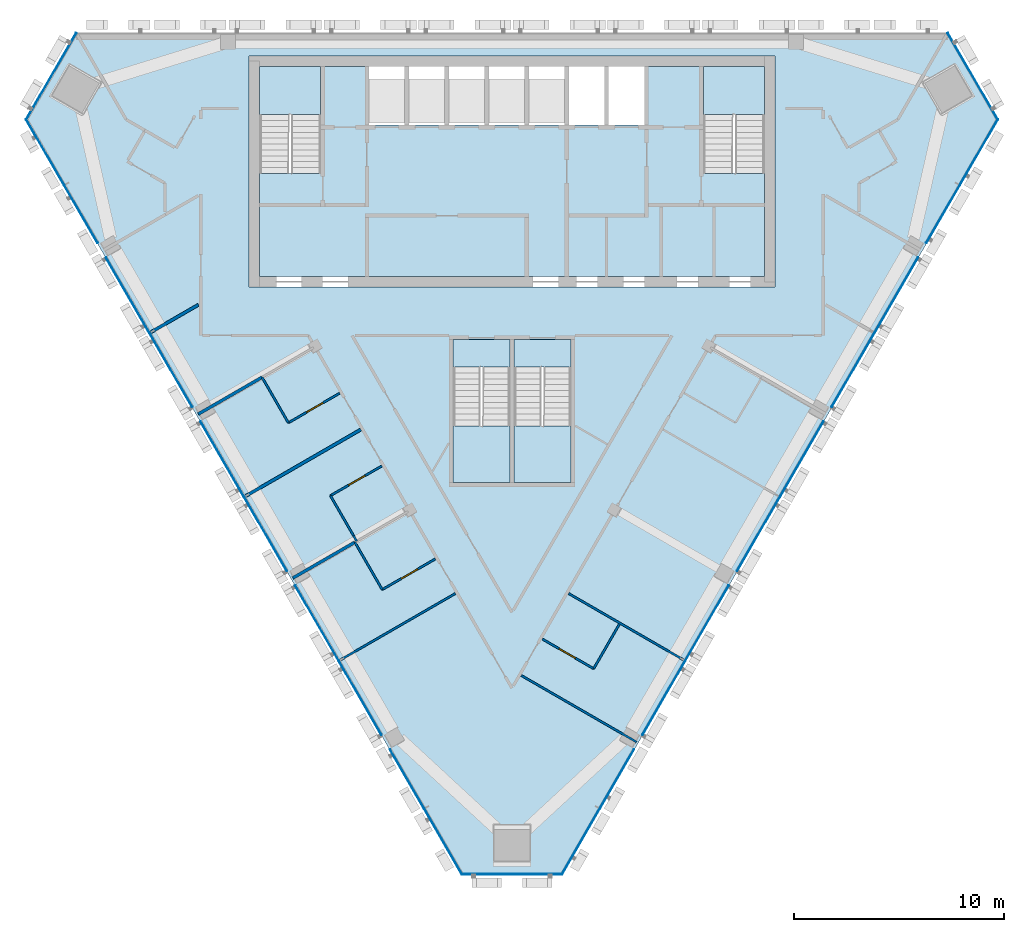
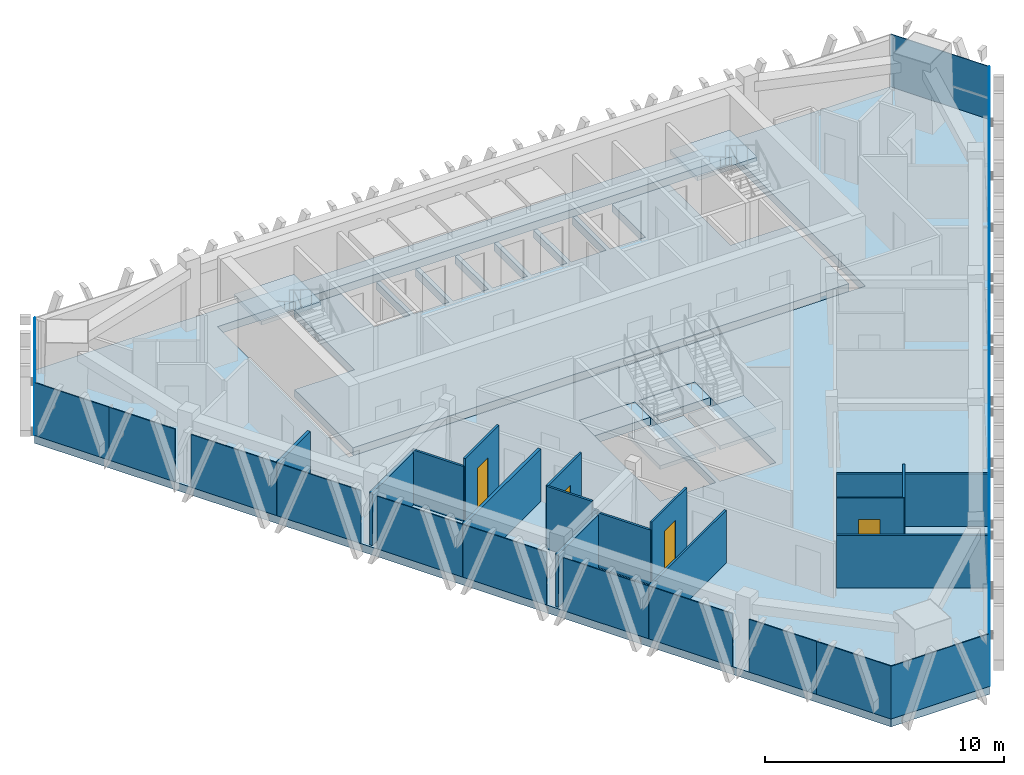
# One storey, part 7 of 14: 23 plates, 16 walls, 8 slabs, 4 doors, 4 openings, 9 elements without a shape of their own.
"""IFC4 building model written with IfcOpenShell, lengths in metres."""

from ifc_helpers import new_model, si_unit, direction, frame, frame_2d, origin, origin_2d, place, context, subcontext, project, spatial, polyline, rectangle, outline, extrude, material, layer, layer_set, type_object, element, fill, aggregate, save


model = new_model("IFC4")

# Units and contexts
model_context = context("Model", 3, precision=1e-05, world=origin(), true_north=direction((0.0, 1.0)))
body_context = subcontext(model_context, "Body", "Model", "MODEL_VIEW")
ifc_project = project(units=[si_unit("LENGTHUNIT", "METRE"), si_unit("AREAUNIT", "SQUARE_METRE"), si_unit("VOLUMEUNIT", "CUBIC_METRE"), si_unit("PLANEANGLEUNIT", "RADIAN"), si_unit("MASSUNIT", "GRAM", prefix="KILO")], contexts=[model_context])

# Site, building, storey
site_placement = place(None, origin())
site = spatial("IfcSite", under=ifc_project, at=site_placement, CompositionType="ELEMENT")
building_placement = place(site_placement, origin())
building = spatial("IfcBuilding", under=site, at=building_placement, Name="Altiplano Prism Tower", CompositionType="ELEMENT")
storey_placement = place(building_placement, frame((0.0, 0.0, 271.60009765625)))
storey = spatial("IfcBuildingStorey", under=building, at=storey_placement, Name="L70", CompositionType="ELEMENT", Elevation=271.60009765625)

# Curtain wall, plate
ifc_material_1 = material(Name="Aluminium and glass", Category="aluminium")
ifc_layer_1 = layer(ifc_material_1, 0.280029296875)
ifc_layer_set_1 = layer_set([ifc_layer_1], Name="Aluminium and glass")
curtain_wall_type = type_object("IfcCurtainWallType", Name="CW1 typical co-living unitised curtain wall", PredefinedType="NOTDEFINED", material=ifc_layer_set_1)
curtain_wall_1_placement = place(storey_placement, origin())
curtain_wall_1 = element("IfcCurtainWall", 1, at=curtain_wall_1_placement, inside=storey, type_object=curtain_wall_type, Name="CW1 curtain wall north-west chamfer L70", PredefinedType="NOTDEFINED")
ifc_material_2 = material(Name="Clear glass", Category="glass")
ifc_layer_2 = layer(ifc_material_2, 0.0400390625)
ifc_layer_set_2 = layer_set([ifc_layer_2], Name="Clear glass")
plate_type = type_object("IfcPlateType", Name="CW1 insulated glass unit 40", PredefinedType="CURTAIN_PANEL", material=ifc_layer_set_2)
plate_1_placement = place(storey_placement, frame((63.091796875, 102.92431640625, 0.0), z_axis=(0.0, 0.0, 1.0), x_axis=(-0.50000003413, -0.86602538408, 0.0)))
plate_1 = element("IfcPlate", 2, at=plate_1_placement, type_object=plate_type, Name="CW1 panel", PredefinedType="CURTAIN_PANEL", context=body_context, shape_type="SweptSolid", body=[
    extrude(rectangle(XDim=4.76025390625, YDim=0.0400390625, at=origin_2d()), origin(), (0.0, 0.0, 1.0), 2.699951171875),
])
aggregate(curtain_wall_1, [plate_1])

# Curtain wall, plates
curtain_wall_2_placement = place(storey_placement, origin())
curtain_wall_2 = element("IfcCurtainWall", 3, at=curtain_wall_2_placement, inside=storey, type_object=curtain_wall_type, Name="CW1 curtain wall south-west face L70", PredefinedType="NOTDEFINED")
plate_2_placement = place(storey_placement, frame((62.80322265625, 99.312744140625, 0.0), z_axis=(0.0, 0.0, 1.0), x_axis=(0.499999994362, -0.866025407039, 0.0)))
plate_2 = element("IfcPlate", 4, at=plate_2_placement, type_object=plate_type, Name="CW1 panel", PredefinedType="CURTAIN_PANEL", context=body_context, shape_type="SweptSolid", body=[
    extrude(rectangle(XDim=3.6064453125, YDim=0.0400390625, at=origin_2d()), origin(), (0.0, 0.0, 1.0), 2.699951171875),
])
plate_3_placement = place(storey_placement, frame((64.504150390625, 96.36669921875, 0.0), z_axis=(0.0, 0.0, 1.0), x_axis=(0.499999994362, -0.866025407039, 0.0)))
plate_3 = element("IfcPlate", 5, at=plate_3_placement, type_object=plate_type, Name="CW1 panel", PredefinedType="CURTAIN_PANEL", context=body_context, shape_type="SweptSolid", body=[
    extrude(rectangle(XDim=3.177001953125, YDim=0.0400390625, at=origin_2d()), origin(), (0.0, 0.0, 1.0), 2.699951171875),
])
plate_4_placement = place(storey_placement, frame((66.728271484375, 92.514404296875, 0.0), z_axis=(0.0, 0.0, 1.0), x_axis=(0.499999994362, -0.866025407039, 0.0)))
plate_4 = element("IfcPlate", 6, at=plate_4_placement, type_object=plate_type, Name="CW1 panel", PredefinedType="CURTAIN_PANEL", context=body_context, shape_type="SweptSolid", body=[
    extrude(rectangle(XDim=4.139404296875, YDim=0.0400390625, at=origin_2d()), origin(), (0.0, 0.0, 1.0), 2.699951171875),
])
plate_5_placement = place(storey_placement, frame((68.783203125, 88.955078125, 0.0), z_axis=(0.0, 0.0, 1.0), x_axis=(0.499999994362, -0.866025407039, 0.0)))
plate_5 = element("IfcPlate", 7, at=plate_5_placement, type_object=plate_type, Name="CW1 panel", PredefinedType="CURTAIN_PANEL", context=body_context, shape_type="SweptSolid", body=[
    extrude(rectangle(XDim=4.060302734375, YDim=0.0400390625, at=origin_2d()), origin(), (0.0, 0.0, 1.0), 2.699951171875),
])
plate_6_placement = place(storey_placement, frame((71.228271484375, 84.72021484375, 0.0), z_axis=(0.0, 0.0, 1.0), x_axis=(0.499999994362, -0.866025407039, 0.0)))
plate_6 = element("IfcPlate", 8, at=plate_6_placement, type_object=plate_type, Name="CW1 panel", PredefinedType="CURTAIN_PANEL", context=body_context, shape_type="SweptSolid", body=[
    extrude(rectangle(XDim=4.139404296875, YDim=0.0400390625, at=origin_2d()), origin(), (0.0, 0.0, 1.0), 2.699951171875),
])
plate_7_placement = place(storey_placement, frame((73.283203125, 81.160888671875, 0.0), z_axis=(0.0, 0.0, 1.0), x_axis=(0.499999994362, -0.866025407039, 0.0)))
plate_7 = element("IfcPlate", 9, at=plate_7_placement, type_object=plate_type, Name="CW1 panel", PredefinedType="CURTAIN_PANEL", context=body_context, shape_type="SweptSolid", body=[
    extrude(rectangle(XDim=4.060302734375, YDim=0.0400390625, at=origin_2d()), origin(), (0.0, 0.0, 1.0), 2.699951171875),
])
plate_8_placement = place(storey_placement, frame((75.728271484375, 76.926025390625, 0.0), z_axis=(0.0, 0.0, 1.0), x_axis=(0.499999994362, -0.866025407039, 0.0)))
plate_8 = element("IfcPlate", 10, at=plate_8_placement, type_object=plate_type, Name="CW1 panel", PredefinedType="CURTAIN_PANEL", context=body_context, shape_type="SweptSolid", body=[
    extrude(rectangle(XDim=4.139404296875, YDim=0.0400390625, at=origin_2d()), origin(), (0.0, 0.0, 1.0), 2.699951171875),
])
plate_9_placement = place(storey_placement, frame((77.783203125, 73.36669921875, 0.0), z_axis=(0.0, 0.0, 1.0), x_axis=(0.499999994362, -0.866025407039, 0.0)))
plate_9 = element("IfcPlate", 11, at=plate_9_placement, type_object=plate_type, Name="CW1 panel", PredefinedType="CURTAIN_PANEL", context=body_context, shape_type="SweptSolid", body=[
    extrude(rectangle(XDim=4.060302734375, YDim=0.0400390625, at=origin_2d()), origin(), (0.0, 0.0, 1.0), 2.699951171875),
])
plate_10_placement = place(storey_placement, frame((80.00732421875, 69.514404296875, 0.0), z_axis=(0.0, 0.0, 1.0), x_axis=(0.499999994362, -0.866025407039, 0.0)))
plate_10 = element("IfcPlate", 12, at=plate_10_placement, type_object=plate_type, Name="CW1 panel", PredefinedType="CURTAIN_PANEL", context=body_context, shape_type="SweptSolid", body=[
    extrude(rectangle(XDim=3.256103515625, YDim=0.0400390625, at=origin_2d()), origin(), (0.0, 0.0, 1.0), 2.699951171875),
])
plate_11_placement = place(storey_placement, frame((81.72802734375, 66.5341796875, 0.0), z_axis=(0.0, 0.0, 1.0), x_axis=(0.499999994362, -0.866025407039, 0.0)))
plate_11 = element("IfcPlate", 13, at=plate_11_placement, type_object=plate_type, Name="CW1 panel", PredefinedType="CURTAIN_PANEL", context=body_context, shape_type="SweptSolid", body=[
    extrude(rectangle(XDim=3.6064453125, YDim=0.0400390625, at=origin_2d()), origin(), (0.0, 0.0, 1.0), 2.699951171875),
])
aggregate(curtain_wall_2, [plate_2, plate_3, plate_4, plate_5, plate_6, plate_7, plate_8, plate_9, plate_10, plate_11])

# Curtain wall, plate
curtain_wall_3_placement = place(storey_placement, origin())
curtain_wall_3 = element("IfcCurtainWall", 14, at=curtain_wall_3_placement, inside=storey, type_object=curtain_wall_type, Name="CW1 curtain wall south chamfer L70", PredefinedType="NOTDEFINED")
plate_12_placement = place(storey_placement, frame((85.0, 64.97802734375, 0.0), z_axis=(0.0, 0.0, 1.0), x_axis=(1.0, 0.0, 0.0)))
plate_12 = element("IfcPlate", 15, at=plate_12_placement, type_object=plate_type, Name="CW1 panel", PredefinedType="CURTAIN_PANEL", context=body_context, shape_type="SweptSolid", body=[
    extrude(rectangle(XDim=4.76025390625, YDim=0.0400390625, at=origin_2d()), origin(), (0.0, 0.0, 1.0), 2.699951171875),
])
aggregate(curtain_wall_3, [plate_12])

# Curtain wall, plates
curtain_wall_4_placement = place(storey_placement, origin())
curtain_wall_4 = element("IfcCurtainWall", 16, at=curtain_wall_4_placement, inside=storey, type_object=curtain_wall_type, Name="CW1 curtain wall south-east face L70", PredefinedType="NOTDEFINED")
plate_13_placement = place(storey_placement, frame((88.27197265625, 66.5341796875, 0.0), z_axis=(0.0, 0.0, 1.0), x_axis=(0.499999994362, 0.866025407039, 0.0)))
plate_13 = element("IfcPlate", 17, at=plate_13_placement, type_object=plate_type, Name="CW1 panel", PredefinedType="CURTAIN_PANEL", context=body_context, shape_type="SweptSolid", body=[
    extrude(rectangle(XDim=3.6064453125, YDim=0.0400390625, at=origin_2d()), origin(), (0.0, 0.0, 1.0), 2.699951171875),
])
plate_14_placement = place(storey_placement, frame((89.99267578125, 69.514404296875, 0.0), z_axis=(0.0, 0.0, 1.0), x_axis=(0.499999994362, 0.866025407039, 0.0)))
plate_14 = element("IfcPlate", 18, at=plate_14_placement, type_object=plate_type, Name="CW1 panel", PredefinedType="CURTAIN_PANEL", context=body_context, shape_type="SweptSolid", body=[
    extrude(rectangle(XDim=3.256103515625, YDim=0.0400390625, at=origin_2d()), origin(), (0.0, 0.0, 1.0), 2.699951171875),
])
plate_15_placement = place(storey_placement, frame((92.216796875, 73.36669921875, 0.0), z_axis=(0.0, 0.0, 1.0), x_axis=(0.499999994362, 0.866025407039, 0.0)))
plate_15 = element("IfcPlate", 19, at=plate_15_placement, type_object=plate_type, Name="CW1 panel", PredefinedType="CURTAIN_PANEL", context=body_context, shape_type="SweptSolid", body=[
    extrude(rectangle(XDim=4.060302734375, YDim=0.0400390625, at=origin_2d()), origin(), (0.0, 0.0, 1.0), 2.699951171875),
])
plate_16_placement = place(storey_placement, frame((94.271728515625, 76.926025390625, 0.0), z_axis=(0.0, 0.0, 1.0), x_axis=(0.499999994362, 0.866025407039, 0.0)))
plate_16 = element("IfcPlate", 20, at=plate_16_placement, type_object=plate_type, Name="CW1 panel", PredefinedType="CURTAIN_PANEL", context=body_context, shape_type="SweptSolid", body=[
    extrude(rectangle(XDim=4.139404296875, YDim=0.0400390625, at=origin_2d()), origin(), (0.0, 0.0, 1.0), 2.699951171875),
])
plate_17_placement = place(storey_placement, frame((96.716796875, 81.160888671875, 0.0), z_axis=(0.0, 0.0, 1.0), x_axis=(0.499999994362, 0.866025407039, 0.0)))
plate_17 = element("IfcPlate", 21, at=plate_17_placement, type_object=plate_type, Name="CW1 panel", PredefinedType="CURTAIN_PANEL", context=body_context, shape_type="SweptSolid", body=[
    extrude(rectangle(XDim=4.060302734375, YDim=0.0400390625, at=origin_2d()), origin(), (0.0, 0.0, 1.0), 2.699951171875),
])
plate_18_placement = place(storey_placement, frame((98.771728515625, 84.72021484375, 0.0), z_axis=(0.0, 0.0, 1.0), x_axis=(0.499999994362, 0.866025407039, 0.0)))
plate_18 = element("IfcPlate", 22, at=plate_18_placement, type_object=plate_type, Name="CW1 panel", PredefinedType="CURTAIN_PANEL", context=body_context, shape_type="SweptSolid", body=[
    extrude(rectangle(XDim=4.139404296875, YDim=0.0400390625, at=origin_2d()), origin(), (0.0, 0.0, 1.0), 2.699951171875),
])
plate_19_placement = place(storey_placement, frame((101.216796875, 88.955078125, 0.0), z_axis=(0.0, 0.0, 1.0), x_axis=(0.499999994362, 0.866025407039, 0.0)))
plate_19 = element("IfcPlate", 23, at=plate_19_placement, type_object=plate_type, Name="CW1 panel", PredefinedType="CURTAIN_PANEL", context=body_context, shape_type="SweptSolid", body=[
    extrude(rectangle(XDim=4.060302734375, YDim=0.0400390625, at=origin_2d()), origin(), (0.0, 0.0, 1.0), 2.699951171875),
])
plate_20_placement = place(storey_placement, frame((103.271728515625, 92.514404296875, 0.0), z_axis=(0.0, 0.0, 1.0), x_axis=(0.499999994362, 0.866025407039, 0.0)))
plate_20 = element("IfcPlate", 24, at=plate_20_placement, type_object=plate_type, Name="CW1 panel", PredefinedType="CURTAIN_PANEL", context=body_context, shape_type="SweptSolid", body=[
    extrude(rectangle(XDim=4.139404296875, YDim=0.0400390625, at=origin_2d()), origin(), (0.0, 0.0, 1.0), 2.699951171875),
])
plate_21_placement = place(storey_placement, frame((105.495849609375, 96.36669921875, 0.0), z_axis=(0.0, 0.0, 1.0), x_axis=(0.499999994362, 0.866025407039, 0.0)))
plate_21 = element("IfcPlate", 25, at=plate_21_placement, type_object=plate_type, Name="CW1 panel", PredefinedType="CURTAIN_PANEL", context=body_context, shape_type="SweptSolid", body=[
    extrude(rectangle(XDim=3.177001953125, YDim=0.0400390625, at=origin_2d()), origin(), (0.0, 0.0, 1.0), 2.699951171875),
])
plate_22_placement = place(storey_placement, frame((107.19677734375, 99.312744140625, 0.0), z_axis=(0.0, 0.0, 1.0), x_axis=(0.499999994362, 0.866025407039, 0.0)))
plate_22 = element("IfcPlate", 26, at=plate_22_placement, type_object=plate_type, Name="CW1 panel", PredefinedType="CURTAIN_PANEL", context=body_context, shape_type="SweptSolid", body=[
    extrude(rectangle(XDim=3.6064453125, YDim=0.0400390625, at=origin_2d()), origin(), (0.0, 0.0, 1.0), 2.699951171875),
])
aggregate(curtain_wall_4, [plate_13, plate_14, plate_15, plate_16, plate_17, plate_18, plate_19, plate_20, plate_21, plate_22])

# Curtain wall, plate
curtain_wall_5_placement = place(storey_placement, origin())
curtain_wall_5 = element("IfcCurtainWall", 27, at=curtain_wall_5_placement, inside=storey, type_object=curtain_wall_type, Name="CW1 curtain wall north-east chamfer L70", PredefinedType="NOTDEFINED")
plate_23_placement = place(storey_placement, frame((106.908203125, 102.92431640625, 0.0), z_axis=(0.0, 0.0, 1.0), x_axis=(-0.50000003413, 0.86602538408, 0.0)))
plate_23 = element("IfcPlate", 28, at=plate_23_placement, type_object=plate_type, Name="CW1 panel", PredefinedType="CURTAIN_PANEL", context=body_context, shape_type="SweptSolid", body=[
    extrude(rectangle(XDim=4.76025390625, YDim=0.0400390625, at=origin_2d()), origin(), (0.0, 0.0, 1.0), 2.699951171875),
])
aggregate(curtain_wall_5, [plate_23])

# Slabs
ifc_material_3 = material(Name="Concrete C40/50", Category="concrete")
ifc_layer_3 = layer(ifc_material_3, 0.39990234375)
ifc_layer_set_3 = layer_set([ifc_layer_3], Name="Concrete C40/50")
slab_type_1 = type_object("IfcSlabType", Name="Core floor slab 400", PredefinedType="FLOOR", material=ifc_layer_set_3)
slab_1_placement = place(storey_placement, frame((0.0, 0.0, -0.400146484375)))
element("IfcSlab", 29, at=slab_1_placement, inside=storey, type_object=slab_type_1, Name="Core floor slab L70", PredefinedType="FLOOR", context=body_context, shape_type="SweptSolid", body=[
    extrude(outline(polyline([(97.0, 98.31005859375), (94.10009765625, 98.31005859375), (94.10009765625, 103.39990234375), (91.300048828125, 103.39990234375), (91.300048828125, 100.60009765625), (89.60009765625, 100.60009765625), (89.60009765625, 103.39990234375), (89.39990234375, 103.39990234375), (89.39990234375, 100.60009765625), (87.699951171875, 100.60009765625), (87.699951171875, 103.39990234375), (87.5, 103.39990234375), (87.5, 100.60009765625), (85.800048828125, 100.60009765625), (85.800048828125, 103.39990234375), (85.60009765625, 103.39990234375), (85.60009765625, 100.60009765625), (83.89990234375, 100.60009765625), (83.89990234375, 103.39990234375), (83.699951171875, 103.39990234375), (83.699951171875, 100.60009765625), (82.0, 100.60009765625), (82.0, 103.39990234375), (81.800048828125, 103.39990234375), (81.800048828125, 100.60009765625), (80.10009765625, 100.60009765625), (80.10009765625, 103.39990234375), (79.89990234375, 103.39990234375), (79.89990234375, 100.60009765625), (78.199951171875, 100.60009765625), (78.199951171875, 103.39990234375), (75.89990234375, 103.39990234375), (75.89990234375, 98.31005859375), (73.0, 98.31005859375), (73.0, 93.39990234375), (97.0, 93.39990234375), (97.0, 98.31005859375)])), origin(), (0.0, 0.0, 1.0), 0.400146484375),
])
slab_2_placement = place(storey_placement, frame((0.0, 0.0, -0.400146484375)))
element("IfcSlab", 30, at=slab_2_placement, inside=storey, type_object=slab_type_1, Name="Stair 3A landing slab L70", PredefinedType="FLOOR", context=body_context, shape_type="SweptSolid", body=[
    extrude(outline(polyline([(82.199951171875, 89.096923828125), (84.89990234375, 89.096923828125), (84.89990234375, 90.39990234375), (82.199951171875, 90.39990234375), (82.199951171875, 89.096923828125)])), origin(), (0.0, 0.0, 1.0), 0.400146484375),
])
slab_3_placement = place(storey_placement, frame((0.0, 0.0, -0.400146484375)))
element("IfcSlab", 31, at=slab_3_placement, inside=storey, type_object=slab_type_1, Name="Stair 3B landing slab L70", PredefinedType="FLOOR", context=body_context, shape_type="SweptSolid", body=[
    extrude(outline(polyline([(85.10009765625, 89.096923828125), (87.800048828125, 89.096923828125), (87.800048828125, 90.39990234375), (85.10009765625, 90.39990234375), (85.10009765625, 89.096923828125)])), origin(), (0.0, 0.0, 1.0), 0.400146484375),
])
ifc_layer_4 = layer(ifc_material_3, 0.39990234375)
ifc_layer_set_4 = layer_set([ifc_layer_4], Name="Concrete C40/50")
slab_type_2 = type_object("IfcSlabType", Name="Post-tensioned flat slab 400", PredefinedType="FLOOR", material=ifc_layer_set_4)
slab_4_placement = place(storey_placement, frame((0.0, 0.0, -0.400146484375)))
element("IfcSlab", 32, at=slab_4_placement, inside=storey, type_object=slab_type_2, Name="Floor slab L70", PredefinedType="FLOOR", context=body_context, shape_type="SweptSolid", body=[
    extrude(outline(polyline([(82.61474609375, 64.9580078125), (61.8818359375, 100.868896484375), (64.266845703125, 105.0), (105.733154296875, 105.0), (108.1181640625, 100.868896484375), (87.38525390625, 64.9580078125), (82.61474609375, 64.9580078125)]), holes=[polyline([(72.5, 103.89990234375), (72.5, 92.89990234375), (97.5, 92.89990234375), (97.5, 103.89990234375), (72.5, 103.89990234375)]), polyline([(84.89990234375, 90.39990234375), (82.199951171875, 90.39990234375), (82.199951171875, 83.60009765625), (84.89990234375, 83.60009765625), (84.89990234375, 90.39990234375)]), polyline([(87.800048828125, 83.60009765625), (87.800048828125, 90.39990234375), (85.10009765625, 90.39990234375), (85.10009765625, 83.60009765625), (87.800048828125, 83.60009765625)])]), origin(), (0.0, 0.0, 1.0), 0.400146484375),
])

# Stair, slab
stair_type_1 = type_object("IfcStairType", Name="Exit stair 1400", PredefinedType="HALF_TURN_STAIR", material=ifc_material_3)
stair_1_placement = place(storey_placement, origin())
stair_1 = element("IfcStair", 33, at=stair_1_placement, inside=storey, type_object=stair_type_1, Name="L70 Exit Stair 1", PredefinedType="HALF_TURN_STAIR")
ifc_layer_5 = layer(ifc_material_3, 0.199951171875)
ifc_layer_set_5 = layer_set([ifc_layer_5], Name="Concrete C40/50")
slab_type_3 = type_object("IfcSlabType", Name="Stair landing 200", PredefinedType="LANDING", material=ifc_layer_set_5)
slab_5_placement = place(storey_placement, frame((0.0, 0.0, 1.599853515625)))
slab_5 = element("IfcSlab", 34, at=slab_5_placement, type_object=slab_type_3, Name="ST1 landing 1", PredefinedType="LANDING", context=body_context, shape_type="SweptSolid", body=[
    extrude(outline(polyline([(75.89990234375, 101.096923828125), (75.89990234375, 103.39990234375), (73.0, 103.39990234375), (73.0, 101.096923828125), (75.89990234375, 101.096923828125)])), origin(), (0.0, 0.0, 1.0), 0.199951171875),
])
aggregate(stair_1, [slab_5])

stair_2_placement = place(storey_placement, origin())
stair_2 = element("IfcStair", 35, at=stair_2_placement, inside=storey, type_object=stair_type_1, Name="L70 Exit Stair 2", PredefinedType="HALF_TURN_STAIR")
slab_6_placement = place(storey_placement, frame((0.0, 0.0, 1.599853515625)))
slab_6 = element("IfcSlab", 36, at=slab_6_placement, type_object=slab_type_3, Name="ST2 landing 1", PredefinedType="LANDING", context=body_context, shape_type="SweptSolid", body=[
    extrude(outline(polyline([(97.0, 101.096923828125), (97.0, 103.39990234375), (94.10009765625, 103.39990234375), (94.10009765625, 101.096923828125), (97.0, 101.096923828125)])), origin(), (0.0, 0.0, 1.0), 0.199951171875),
])
aggregate(stair_2, [slab_6])

stair_type_2 = type_object("IfcStairType", Name="Exit stair 1300", PredefinedType="HALF_TURN_STAIR", material=ifc_material_3)
stair_3_placement = place(storey_placement, origin())
stair_3 = element("IfcStair", 37, at=stair_3_placement, inside=storey, type_object=stair_type_2, Name="L70 Exit Stair 3A", PredefinedType="HALF_TURN_STAIR")
slab_7_placement = place(storey_placement, frame((0.0, 0.0, 1.599853515625)))
slab_7 = element("IfcSlab", 38, at=slab_7_placement, type_object=slab_type_3, Name="ST3A landing 1", PredefinedType="LANDING", context=body_context, shape_type="SweptSolid", body=[
    extrude(outline(polyline([(82.199951171875, 86.302978515625), (82.199951171875, 83.60009765625), (84.89990234375, 83.60009765625), (84.89990234375, 86.302978515625), (82.199951171875, 86.302978515625)])), origin(), (0.0, 0.0, 1.0), 0.199951171875),
])
aggregate(stair_3, [slab_7])

stair_4_placement = place(storey_placement, origin())
stair_4 = element("IfcStair", 39, at=stair_4_placement, inside=storey, type_object=stair_type_2, Name="L70 Exit Stair 3B", PredefinedType="HALF_TURN_STAIR")
slab_8_placement = place(storey_placement, frame((0.0, 0.0, 1.599853515625)))
slab_8 = element("IfcSlab", 40, at=slab_8_placement, type_object=slab_type_3, Name="ST3B landing 1", PredefinedType="LANDING", context=body_context, shape_type="SweptSolid", body=[
    extrude(outline(polyline([(85.10009765625, 86.302978515625), (85.10009765625, 83.60009765625), (87.800048828125, 83.60009765625), (87.800048828125, 86.302978515625), (85.10009765625, 86.302978515625)])), origin(), (0.0, 0.0, 1.0), 0.199951171875),
])
aggregate(stair_4, [slab_8])

# Wall, opening, door
ifc_material_4 = material(Name="Plasterboard on steel stud", Category="steel")
ifc_layer_6 = layer(ifc_material_4, 0.10009765625)
ifc_layer_set_6 = layer_set([ifc_layer_6], Name="Plasterboard on steel stud")
wall_type_1 = type_object("IfcWallType", Name="Partition 100 unit", PredefinedType="PARTITIONING", material=ifc_layer_set_6)
wall_1_placement = place(storey_placement, frame((76.8125, 87.85791015625, 0.0), z_axis=(0.0, 0.0, 1.0), x_axis=(-0.866048868473, -0.499959355765, 0.0)))
wall_1 = element("IfcWall", 41, at=wall_1_placement, inside=storey, type_object=wall_type_1, Name="Partition P02 L70 035", PredefinedType="PARTITIONING", context=body_context, shape_type="SweptSolid", body=[
    extrude(rectangle(XDim=2.824951171875, YDim=0.10009765625, at=frame_2d((1.41259765625, 0.0))), origin(), (0.0, 0.0, 1.0), 3.199951171875),
])
opening_1_placement = place(wall_1_placement, frame((0.925048828125, 0.0, 0.0)))
opening_1 = element("IfcOpeningElement", 42, at=opening_1_placement, cuts=wall_1, Name="Opening D2211", PredefinedType="OPENING", context=body_context, shape_type="SweptSolid", body=[
    extrude(rectangle(XDim=0.89990234375, YDim=2.10009765625, at=frame_2d((0.449951171875, 1.050048828125))), frame((0.0, 0.060546875, 0.0), z_axis=(0.0, -1.0, 0.0), x_axis=(1.0, 0.0, 0.0)), (0.0, 0.0, 1.0), 0.12109375),
])
ifc_material_5 = material(Name="Timber", Category="wood")
door_type = type_object("IfcDoorType", Name="Ensuite door 900 x 2100", OperationType="NOTDEFINED", PredefinedType="NOTDEFINED", material=ifc_material_5)
door_1_placement = place(opening_1_placement, origin())
door_1 = element("IfcDoor", 43, at=door_1_placement, inside=storey, type_object=door_type, Name="Door D2211", OperationType="SINGLE_SWING_LEFT", OverallHeight=2.10009765625, OverallWidth=0.89990234375, PredefinedType="NOTDEFINED", context=body_context, shape_type="SweptSolid", body=[
    extrude(rectangle(XDim=0.89990234375, YDim=2.10009765625, at=frame_2d((0.449951171875, 1.050048828125))), frame((0.0, 0.02490234375, 0.0), z_axis=(0.0, -1.0, 0.0), x_axis=(1.0, 0.0, 0.0)), (0.0, 0.0, 1.0), 0.050048828125),
])
fill(opening_1, door_1)

# Walls
wall_2_placement = place(storey_placement, frame((74.365966796875, 86.445556640625, 0.0), z_axis=(0.0, 0.0, 1.0), x_axis=(-0.500004234368, 0.866022959057, 0.0)))
element("IfcWall", 44, at=wall_2_placement, inside=storey, type_object=wall_type_1, Name="Partition P02 L70 036", PredefinedType="PARTITIONING", context=body_context, shape_type="SweptSolid", body=[
    extrude(rectangle(XDim=2.5, YDim=0.10009765625, at=frame_2d((1.25, 0.0))), origin(), (0.0, 0.0, 1.0), 2.7998046875),
])
wall_3_placement = place(storey_placement, frame((77.615966796875, 80.81640625, 0.0), z_axis=(0.0, 0.0, 1.0), x_axis=(-0.499816412211, 0.866131372301, 0.0)))
element("IfcWall", 45, at=wall_3_placement, inside=storey, type_object=wall_type_1, Name="Partition P02 L70 038", PredefinedType="PARTITIONING", context=body_context, shape_type="SweptSolid", body=[
    extrude(rectangle(XDim=0.2998046875, YDim=0.10009765625, at=frame_2d((0.14990234375, 0.0))), origin(), (0.0, 0.0, 1.0), 2.7998046875),
])
wall_4_placement = place(storey_placement, frame((77.466064453125, 81.076171875, 0.0), z_axis=(0.0, 0.0, 1.0), x_axis=(-0.50002983664, 0.866008176907, 0.0)))
element("IfcWall", 46, at=wall_4_placement, inside=storey, type_object=wall_type_1, Name="Partition P02 L70 039", PredefinedType="PARTITIONING", context=body_context, shape_type="SweptSolid", body=[
    extrude(rectangle(XDim=2.199951171875, YDim=0.10009765625, at=frame_2d((1.10009765625, 0.0))), origin(), (0.0, 0.0, 1.0), 3.199951171875),
])

# Wall, opening, door
wall_5_placement = place(storey_placement, frame((76.365966796875, 82.9814453125, 0.0), z_axis=(0.0, 0.0, 1.0), x_axis=(0.866048868473, 0.499959355765, 0.0)))
wall_5 = element("IfcWall", 47, at=wall_5_placement, inside=storey, type_object=wall_type_1, Name="Partition P02 L70 040", PredefinedType="PARTITIONING", context=body_context, shape_type="SweptSolid", body=[
    extrude(rectangle(XDim=2.824951171875, YDim=0.10009765625, at=frame_2d((1.41259765625, 0.0))), origin(), (0.0, 0.0, 1.0), 3.199951171875),
])
opening_2_placement = place(wall_5_placement, frame((1.0, 0.0, 0.0)))
opening_2 = element("IfcOpeningElement", 48, at=opening_2_placement, cuts=wall_5, Name="Opening D2213", PredefinedType="OPENING", context=body_context, shape_type="SweptSolid", body=[
    extrude(rectangle(XDim=0.89990234375, YDim=2.10009765625, at=frame_2d((0.449951171875, 1.050048828125))), frame((0.0, 0.060546875, 0.0), z_axis=(0.0, -1.0, 0.0), x_axis=(1.0, 0.0, 0.0)), (0.0, 0.0, 1.0), 0.12109375),
])
door_2_placement = place(opening_2_placement, origin())
door_2 = element("IfcDoor", 49, at=door_2_placement, inside=storey, type_object=door_type, Name="Door D2213", OperationType="SINGLE_SWING_LEFT", OverallHeight=2.10009765625, OverallWidth=0.89990234375, PredefinedType="NOTDEFINED", context=body_context, shape_type="SweptSolid", body=[
    extrude(rectangle(XDim=0.89990234375, YDim=2.10009765625, at=frame_2d((0.449951171875, 1.050048828125))), frame((0.0, 0.02490234375, 0.0), z_axis=(0.0, -1.0, 0.0), x_axis=(1.0, 0.0, 0.0)), (0.0, 0.0, 1.0), 0.050048828125),
])
fill(opening_2, door_2)

wall_6_placement = place(storey_placement, frame((81.362548828125, 79.97705078125, 0.0), z_axis=(0.0, 0.0, 1.0), x_axis=(-0.866046596414, -0.499963291492, 0.0)))
wall_6 = element("IfcWall", 50, at=wall_6_placement, inside=storey, type_object=wall_type_1, Name="Partition P02 L70 043", PredefinedType="PARTITIONING", context=body_context, shape_type="SweptSolid", body=[
    extrude(rectangle(XDim=2.925048828125, YDim=0.10009765625, at=frame_2d((1.46240234375, 0.0))), origin(), (0.0, 0.0, 1.0), 3.199951171875),
])
opening_3_placement = place(wall_6_placement, frame((0.97509765625, 0.0, 0.0)))
opening_3 = element("IfcOpeningElement", 51, at=opening_3_placement, cuts=wall_6, Name="Opening D2215", PredefinedType="OPENING", context=body_context, shape_type="SweptSolid", body=[
    extrude(rectangle(XDim=0.89990234375, YDim=2.10009765625, at=frame_2d((0.449951171875, 1.050048828125))), frame((0.0, 0.060546875, 0.0), z_axis=(0.0, -1.0, 0.0), x_axis=(1.0, 0.0, 0.0)), (0.0, 0.0, 1.0), 0.12109375),
])
door_3_placement = place(opening_3_placement, origin())
door_3 = element("IfcDoor", 52, at=door_3_placement, inside=storey, type_object=door_type, Name="Door D2215", OperationType="SINGLE_SWING_RIGHT", OverallHeight=2.10009765625, OverallWidth=0.89990234375, PredefinedType="NOTDEFINED", context=body_context, shape_type="SweptSolid", body=[
    extrude(rectangle(XDim=0.89990234375, YDim=2.10009765625, at=frame_2d((0.449951171875, 1.050048828125))), frame((0.0, 0.02490234375, 0.0), z_axis=(0.0, -1.0, 0.0), x_axis=(1.0, 0.0, 0.0)), (0.0, 0.0, 1.0), 0.050048828125),
])
fill(opening_3, door_3)

# Walls
wall_7_placement = place(storey_placement, frame((78.829345703125, 78.5146484375, 0.0), z_axis=(0.0, 0.0, 1.0), x_axis=(-0.500006934395, 0.866021400173, 0.0)))
element("IfcWall", 53, at=wall_7_placement, inside=storey, type_object=wall_type_1, Name="Partition P02 L70 044", PredefinedType="PARTITIONING", context=body_context, shape_type="SweptSolid", body=[
    extrude(rectangle(XDim=2.60009765625, YDim=0.10009765625, at=frame_2d((1.300048828125, 0.0))), origin(), (0.0, 0.0, 1.0), 2.7998046875),
])
wall_8_placement = place(storey_placement, frame((90.10888671875, 76.8759765625, 0.0), z_axis=(0.0, 0.0, 1.0), x_axis=(-0.499943856944, -0.866057815567, 0.0)))
element("IfcWall", 54, at=wall_8_placement, inside=storey, type_object=wall_type_1, Name="Partition P02 L70 047", PredefinedType="PARTITIONING", context=body_context, shape_type="SweptSolid", body=[
    extrude(rectangle(XDim=2.449951171875, YDim=0.10009765625, at=frame_2d((1.22509765625, 0.0))), origin(), (0.0, 0.0, 1.0), 3.199951171875),
])

# Wall, opening, door
wall_9_placement = place(storey_placement, frame((88.884033203125, 74.754150390625, 0.0), z_axis=(0.0, 0.0, 1.0), x_axis=(-0.866011447264, 0.500024172624, 0.0)))
wall_9 = element("IfcWall", 55, at=wall_9_placement, inside=storey, type_object=wall_type_1, Name="Partition P02 L70 048", PredefinedType="PARTITIONING", context=body_context, shape_type="SweptSolid", body=[
    extrude(rectangle(XDim=2.824951171875, YDim=0.10009765625, at=frame_2d((1.41259765625, 0.0))), origin(), (0.0, 0.0, 1.0), 3.199951171875),
])
opening_4_placement = place(wall_9_placement, frame((1.0, 0.0, 0.0)))
opening_4 = element("IfcOpeningElement", 56, at=opening_4_placement, cuts=wall_9, Name="Opening D2218", PredefinedType="OPENING", context=body_context, shape_type="SweptSolid", body=[
    extrude(rectangle(XDim=0.89990234375, YDim=2.10009765625, at=frame_2d((0.449951171875, 1.050048828125))), frame((0.0, 0.060546875, 0.0), z_axis=(0.0, -1.0, 0.0), x_axis=(1.0, 0.0, 0.0)), (0.0, 0.0, 1.0), 0.12109375),
])
door_4_placement = place(opening_4_placement, origin())
door_4 = element("IfcDoor", 57, at=door_4_placement, inside=storey, type_object=door_type, Name="Door D2218", OperationType="SINGLE_SWING_LEFT", OverallHeight=2.10009765625, OverallWidth=0.89990234375, PredefinedType="NOTDEFINED", context=body_context, shape_type="SweptSolid", body=[
    extrude(rectangle(XDim=0.89990234375, YDim=2.10009765625, at=frame_2d((0.449951171875, 1.050048828125))), frame((0.0, 0.02490234375, 0.0), z_axis=(0.0, -1.0, 0.0), x_axis=(1.0, 0.0, 0.0)), (0.0, 0.0, 1.0), 0.050048828125),
])
fill(opening_4, door_4)

# Walls
ifc_layer_7 = layer(ifc_material_4, 0.10009765625)
ifc_layer_set_7 = layer_set([ifc_layer_7], Name="Plasterboard on steel stud")
wall_type_2 = type_object("IfcWallType", Name="Partition 100 wet", PredefinedType="PARTITIONING", material=ifc_layer_set_7)
wall_10_placement = place(storey_placement, frame((76.8173828125, 75.1591796875, 0.0), z_axis=(0.0, 0.0, 1.0), x_axis=(0.866025401434, 0.500000004071, 0.0)))
element("IfcWall", 58, at=wall_10_placement, inside=storey, type_object=wall_type_2, Name="Partition P03 L70 045", PredefinedType="PARTITIONING", context=body_context, shape_type="SweptSolid", body=[
    extrude(rectangle(XDim=6.34521484375, YDim=0.10009765625, at=frame_2d((3.172607421875, 0.0))), origin(), (0.0, 0.0, 1.0), 2.699951171875),
])
wall_11_placement = place(storey_placement, frame((90.9150390625, 71.272216796875, 0.0), z_axis=(0.0, 0.0, 1.0), x_axis=(-0.866032601554, 0.49998753289, 0.0)))
element("IfcWall", 59, at=wall_11_placement, inside=storey, type_object=wall_type_2, Name="Partition P03 L70 046", PredefinedType="PARTITIONING", context=body_context, shape_type="SweptSolid", body=[
    extrude(rectangle(XDim=6.324951171875, YDim=0.10009765625, at=frame_2d((3.16259765625, 0.0))), origin(), (0.0, 0.0, 1.0), 2.699951171875),
])
wall_12_placement = place(storey_placement, frame((93.1826171875, 75.1591796875, 0.0), z_axis=(0.0, 0.0, 1.0), x_axis=(-0.866025401434, 0.500000004071, 0.0)))
element("IfcWall", 60, at=wall_12_placement, inside=storey, type_object=wall_type_2, Name="Partition P03 L70 049", PredefinedType="PARTITIONING", context=body_context, shape_type="SweptSolid", body=[
    extrude(rectangle(XDim=6.34521484375, YDim=0.10009765625, at=frame_2d((3.172607421875, 0.0))), origin(), (0.0, 0.0, 1.0), 2.699951171875),
])
ifc_layer_8 = layer(ifc_material_4, 0.14990234375)
ifc_layer_set_8 = layer_set([ifc_layer_8], Name="Plasterboard on steel stud")
wall_type_3 = type_object("IfcWallType", Name="Partition 150 party", PredefinedType="PARTITIONING", material=ifc_layer_set_8)
wall_13_placement = place(storey_placement, frame((67.8173828125, 90.74755859375, 0.0), z_axis=(0.0, 0.0, 1.0), x_axis=(0.866033583042, 0.499985832843, 0.0)))
element("IfcWall", 61, at=wall_13_placement, inside=storey, type_object=wall_type_3, Name="Partition P01 L70 032", PredefinedType="PARTITIONING", context=body_context, shape_type="SweptSolid", body=[
    extrude(rectangle(XDim=2.62109375, YDim=0.14990234375, at=frame_2d((1.310546875, 0.0))), origin(), (0.0, 0.0, 1.0), 2.699951171875),
])
wall_14_placement = place(storey_placement, frame((70.0849609375, 86.860595703125, 0.0), z_axis=(0.0, 0.0, 1.0), x_axis=(0.866019471182, 0.500010275428, 0.0)))
element("IfcWall", 62, at=wall_14_placement, inside=storey, type_object=wall_type_3, Name="Partition P01 L70 033", PredefinedType="PARTITIONING", context=body_context, shape_type="SweptSolid", body=[
    extrude(rectangle(XDim=3.5, YDim=0.14990234375, at=frame_2d((1.75, 0.0))), origin(), (0.0, 0.0, 1.0), 2.699951171875),
])
wall_15_placement = place(storey_placement, frame((72.3173828125, 82.953369140625, 0.0), z_axis=(0.0, 0.0, 1.0), x_axis=(0.866025401434, 0.500000004071, 0.0)))
element("IfcWall", 63, at=wall_15_placement, inside=storey, type_object=wall_type_3, Name="Partition P01 L70 037", PredefinedType="PARTITIONING", context=body_context, shape_type="SweptSolid", body=[
    extrude(rectangle(XDim=6.34521484375, YDim=0.14990234375, at=frame_2d((3.172607421875, 0.0))), origin(), (0.0, 0.0, 1.0), 2.699951171875),
])
wall_16_placement = place(storey_placement, frame((74.5849609375, 79.06640625, 0.0), z_axis=(0.0, 0.0, 1.0), x_axis=(0.866020560687, 0.500008388397, 0.0)))
element("IfcWall", 64, at=wall_16_placement, inside=storey, type_object=wall_type_3, Name="Partition P01 L70 041", PredefinedType="PARTITIONING", context=body_context, shape_type="SweptSolid", body=[
    extrude(rectangle(XDim=3.39990234375, YDim=0.14990234375, at=frame_2d((1.699951171875, 0.0))), origin(), (0.0, 0.0, 1.0), 2.699951171875),
])

save(model, "model.ifc")
